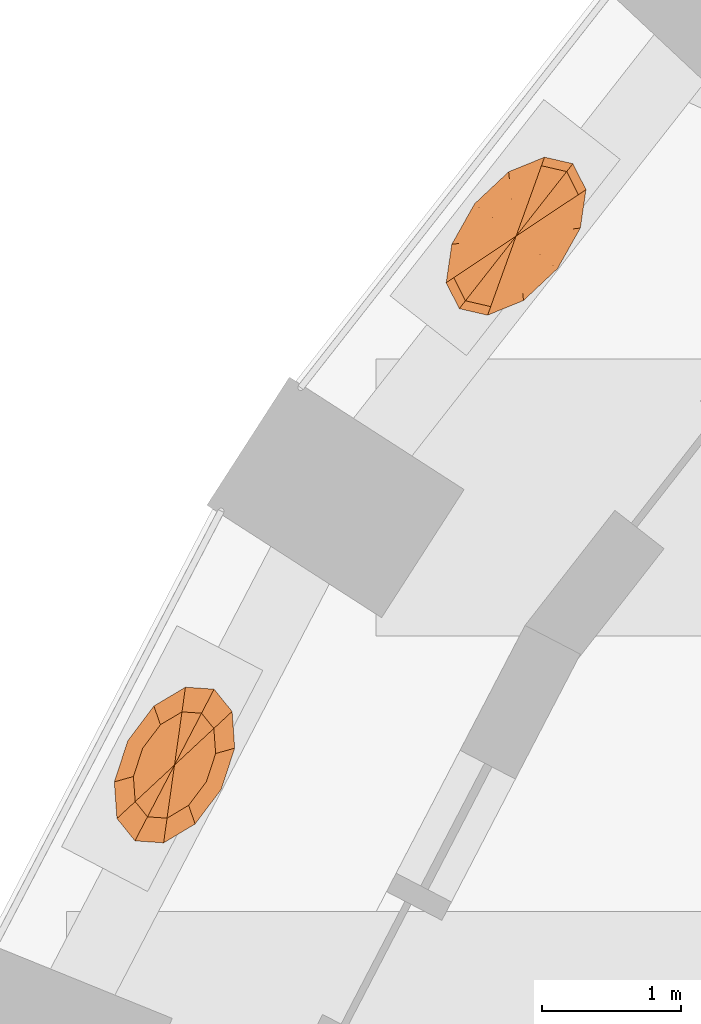
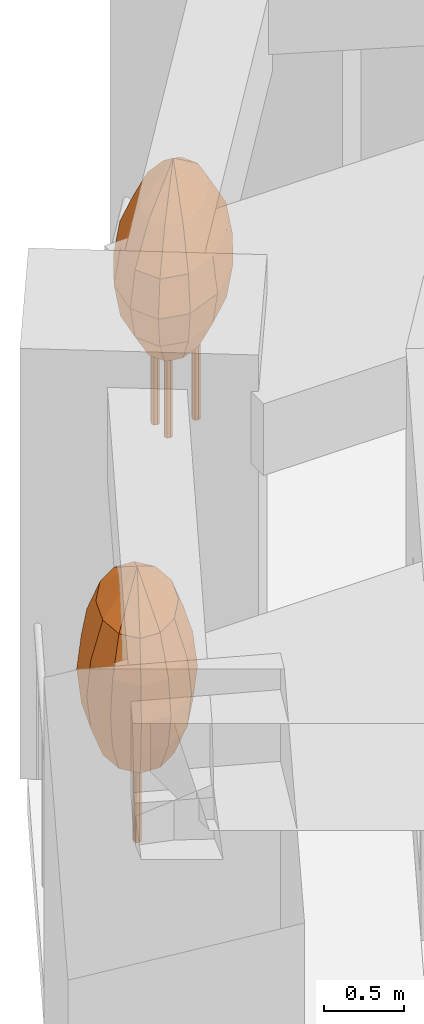
# One storey, part 13 of 13: 2 geographic elements.
"""IFC4 building model written with IfcOpenShell, lengths in metres."""

from ifc_helpers import new_model, si_unit, direction, frame, origin, place, context, subcontext, project, spatial, faceted_brep, material, constituent, constituent_set, type_object, element, save


model = new_model("IFC4")

# Units and contexts
model_context = context("Model", 3, precision=1e-05, world=origin(), true_north=direction((0.0, 1.0)))
body_context = subcontext(model_context, "Body", "Model", "MODEL_VIEW")
ifc_project = project(units=[si_unit("LENGTHUNIT", "METRE"), si_unit("AREAUNIT", "SQUARE_METRE"), si_unit("VOLUMEUNIT", "CUBIC_METRE"), si_unit("PLANEANGLEUNIT", "RADIAN"), si_unit("MASSUNIT", "GRAM", prefix="KILO")], contexts=[model_context])

# Site, building, storey
site_placement = place(None, origin())
site = spatial("IfcSite", under=ifc_project, at=site_placement, CompositionType="ELEMENT")
building_placement = place(site_placement, origin())
building = spatial("IfcBuilding", under=site, at=building_placement, Name="Taillehof Tower", CompositionType="ELEMENT")
storey_placement = place(building_placement, frame((0.0, 0.0, 77.800048828125)))
storey = spatial("IfcBuildingStorey", under=building, at=storey_placement, Name="L21", CompositionType="ELEMENT", Elevation=77.800048828125)

# Geographic elements
ifc_material_1 = material(Name="Tree bark", Category="timber")
ifc_constituent_1 = constituent(ifc_material_1, Name="Trunk", Category="timber")
ifc_material_2 = material(Name="Tree foliage")
ifc_constituent_2 = constituent(ifc_material_2, Name="Crown")
ifc_constituent_set_1 = constituent_set(constituents=[ifc_constituent_1, ifc_constituent_2], Name="Tree TR1 Columnar hornbeam")
geographic_element_type_1 = type_object("IfcGeographicElementType", Name="Tree TR1 Columnar hornbeam", PredefinedType="USERDEFINED", material=ifc_constituent_set_1)
geographic_element_1_placement = place(storey_placement, frame((-25.627685546875, 10.692626953125, 0.75)))
element("IfcGeographicElement", 1, at=geographic_element_1_placement, inside=storey, type_object=geographic_element_type_1, Name="Tree TR1 Columnar hornbeam", ObjectType="TREE", PredefinedType="USERDEFINED", context=body_context, shape_type="Brep", body=[
    faceted_brep([(0.030029296875, 0.0, 0.0), (0.021240234375, 0.021240234375, 0.0), (0.021240234375, 0.021240234375, 1.092529296875), (0.030029296875, 0.0, 1.092529296875), (0.0, 0.030029296875, 0.0), (0.0, 0.030029296875, 1.092529296875), (-0.021240234375, 0.021240234375, 0.0), (-0.021240234375, 0.021240234375, 1.092529296875), (-0.030029296875, 0.0, 0.0), (-0.030029296875, 0.0, 1.092529296875), (-0.021240234375, -0.021240234375, 0.0), (-0.021240234375, -0.021240234375, 1.092529296875), (0.0, -0.030029296875, 0.0), (0.0, -0.030029296875, 1.092529296875), (0.021240234375, -0.021240234375, 0.0), (0.021240234375, -0.021240234375, 1.092529296875)], [[[0, 1, 2, 3]], [[1, 4, 5, 2]], [[4, 6, 7, 5]], [[6, 8, 9, 7]], [[8, 10, 11, 9]], [[10, 12, 13, 11]], [[12, 14, 15, 13]], [[14, 0, 3, 15]], [[14, 12, 10, 8, 6, 4, 1, 0]], [[3, 2, 5, 7, 9, 11, 13, 15]]]),
    faceted_brep([(0.0, 0.0, 0.550048828125), (-0.053955078125, -0.3837890625, 0.808349609375), (-0.195068359375, -0.3740234375, 0.808349609375), (0.101806640625, -0.291015625, 0.808349609375), (0.230224609375, -0.1201171875, 0.808349609375), (0.296875, 0.0830078125, 0.808349609375), (0.283935546875, 0.263916015625, 0.808349609375), (0.195068359375, 0.3740234375, 0.808349609375), (0.053955078125, 0.3837890625, 0.808349609375), (-0.101806640625, 0.291015625, 0.808349609375), (-0.230224609375, 0.1201171875, 0.808349609375), (-0.296875, -0.0830078125, 0.808349609375), (-0.283935546875, -0.263916015625, 0.808349609375), (-0.07275390625, -0.519287109375, 1.066650390625), (-0.263916015625, -0.505859375, 1.066650390625), (0.1376953125, -0.3935546875, 1.066650390625), (0.311279296875, -0.162353515625, 1.066650390625), (0.401611328125, 0.1123046875, 1.066650390625), (0.38427734375, 0.35693359375, 1.066650390625), (0.263916015625, 0.505859375, 1.066650390625), (0.07275390625, 0.519287109375, 1.066650390625), (-0.1376953125, 0.3935546875, 1.066650390625), (-0.311279296875, 0.162353515625, 1.066650390625), (-0.401611328125, -0.1123046875, 1.066650390625), (-0.38427734375, -0.35693359375, 1.066650390625), (-0.078857421875, -0.56201171875, 1.324951171875), (-0.28564453125, -0.547607421875, 1.324951171875), (0.14892578125, -0.426025390625, 1.324951171875), (0.3369140625, -0.17578125, 1.324951171875), (0.4345703125, 0.12158203125, 1.324951171875), (0.415771484375, 0.38623046875, 1.324951171875), (0.28564453125, 0.547607421875, 1.324951171875), (0.078857421875, 0.56201171875, 1.324951171875), (-0.14892578125, 0.426025390625, 1.324951171875), (-0.3369140625, 0.17578125, 1.324951171875), (-0.4345703125, -0.12158203125, 1.324951171875), (-0.415771484375, -0.38623046875, 1.324951171875), (-0.07275390625, -0.519287109375, 1.583251953125), (-0.263916015625, -0.505859375, 1.583251953125), (0.1376953125, -0.3935546875, 1.583251953125), (0.311279296875, -0.162353515625, 1.583251953125), (0.401611328125, 0.1123046875, 1.583251953125), (0.38427734375, 0.35693359375, 1.583251953125), (0.263916015625, 0.505859375, 1.583251953125), (0.07275390625, 0.519287109375, 1.583251953125), (-0.1376953125, 0.3935546875, 1.583251953125), (-0.311279296875, 0.162353515625, 1.583251953125), (-0.401611328125, -0.1123046875, 1.583251953125), (-0.38427734375, -0.35693359375, 1.583251953125), (-0.053955078125, -0.3837890625, 1.841552734375), (-0.195068359375, -0.3740234375, 1.841552734375), (0.101806640625, -0.291015625, 1.841552734375), (0.230224609375, -0.1201171875, 1.841552734375), (0.296875, 0.0830078125, 1.841552734375), (0.283935546875, 0.263916015625, 1.841552734375), (0.195068359375, 0.3740234375, 1.841552734375), (0.053955078125, 0.3837890625, 1.841552734375), (-0.101806640625, 0.291015625, 1.841552734375), (-0.230224609375, 0.1201171875, 1.841552734375), (-0.296875, -0.0830078125, 1.841552734375), (-0.283935546875, -0.263916015625, 1.841552734375), (0.0, 0.0, 2.10009765625)], [[[0, 1, 2]], [[0, 3, 1]], [[0, 4, 3]], [[0, 5, 4]], [[0, 6, 5]], [[0, 7, 6]], [[0, 8, 7]], [[0, 9, 8]], [[0, 10, 9]], [[0, 11, 10]], [[0, 12, 11]], [[0, 2, 12]], [[2, 1, 13, 14]], [[1, 3, 15, 13]], [[3, 4, 16, 15]], [[4, 5, 17, 16]], [[5, 6, 18, 17]], [[6, 7, 19, 18]], [[7, 8, 20, 19]], [[8, 9, 21, 20]], [[9, 10, 22, 21]], [[10, 11, 23, 22]], [[11, 12, 24, 23]], [[12, 2, 14, 24]], [[14, 13, 25, 26]], [[13, 15, 27, 25]], [[15, 16, 28, 27]], [[16, 17, 29, 28]], [[17, 18, 30, 29]], [[18, 19, 31, 30]], [[19, 20, 32, 31]], [[20, 21, 33, 32]], [[21, 22, 34, 33]], [[22, 23, 35, 34]], [[23, 24, 36, 35]], [[24, 14, 26, 36]], [[26, 25, 37, 38]], [[25, 27, 39, 37]], [[27, 28, 40, 39]], [[28, 29, 41, 40]], [[29, 30, 42, 41]], [[30, 31, 43, 42]], [[31, 32, 44, 43]], [[32, 33, 45, 44]], [[33, 34, 46, 45]], [[34, 35, 47, 46]], [[35, 36, 48, 47]], [[36, 26, 38, 48]], [[38, 37, 49, 50]], [[37, 39, 51, 49]], [[39, 40, 52, 51]], [[40, 41, 53, 52]], [[41, 42, 54, 53]], [[42, 43, 55, 54]], [[43, 44, 56, 55]], [[44, 45, 57, 56]], [[45, 46, 58, 57]], [[46, 47, 59, 58]], [[47, 48, 60, 59]], [[48, 38, 50, 60]], [[50, 49, 61]], [[49, 51, 61]], [[51, 52, 61]], [[52, 53, 61]], [[53, 54, 61]], [[54, 55, 61]], [[55, 56, 61]], [[56, 57, 61]], [[57, 58, 61]], [[58, 59, 61]], [[59, 60, 61]], [[60, 50, 61]]]),
])
ifc_material_3 = material(Name="Tree bark", Category="timber")
ifc_constituent_3 = constituent(ifc_material_3, Name="Trunk", Category="timber")
ifc_material_4 = material(Name="Tree foliage")
ifc_constituent_4 = constituent(ifc_material_4, Name="Crown")
ifc_constituent_set_2 = constituent_set(constituents=[ifc_constituent_3, ifc_constituent_4], Name="Tree TR3 Multi-stem serviceberry")
geographic_element_type_2 = type_object("IfcGeographicElementType", Name="Tree TR3 Multi-stem serviceberry", PredefinedType="USERDEFINED", material=ifc_constituent_set_2)
geographic_element_2_placement = place(storey_placement, frame((-23.16162109375, 14.510986328125, 0.75)))
element("IfcGeographicElement", 2, at=geographic_element_2_placement, inside=storey, type_object=geographic_element_type_2, Name="Tree TR3 Multi-stem serviceberry", ObjectType="TREE", PredefinedType="USERDEFINED", context=body_context, shape_type="Brep", body=[
    faceted_brep([(0.195068359375, 0.0, 0.0), (0.186767578125, 0.0205078125, 0.0), (0.186767578125, 0.0205078125, 1.04248046875), (0.195068359375, 0.0, 1.04248046875), (0.166259765625, 0.02880859375, 0.0), (0.166259765625, 0.02880859375, 1.04248046875), (0.145751953125, 0.0205078125, 0.0), (0.145751953125, 0.0205078125, 1.04248046875), (0.137451171875, 0.0, 0.0), (0.137451171875, 0.0, 1.04248046875), (0.145751953125, -0.0205078125, 0.0), (0.145751953125, -0.0205078125, 1.04248046875), (0.166259765625, -0.02880859375, 0.0), (0.166259765625, -0.02880859375, 1.04248046875), (0.186767578125, -0.0205078125, 0.0), (0.186767578125, -0.0205078125, 1.04248046875)], [[[0, 1, 2, 3]], [[1, 4, 5, 2]], [[4, 6, 7, 5]], [[6, 8, 9, 7]], [[8, 10, 11, 9]], [[10, 12, 13, 11]], [[12, 14, 15, 13]], [[14, 0, 3, 15]], [[14, 12, 10, 8, 6, 4, 1, 0]], [[3, 2, 5, 7, 9, 11, 13, 15]]]),
    faceted_brep([(-0.05419921875, 0.082275390625, 0.0), (-0.062744140625, 0.102783203125, 0.0), (-0.062744140625, 0.102783203125, 1.04248046875), (-0.05419921875, 0.082275390625, 1.04248046875), (-0.0830078125, 0.111083984375, 0.0), (-0.0830078125, 0.111083984375, 1.04248046875), (-0.103515625, 0.102783203125, 0.0), (-0.103515625, 0.102783203125, 1.04248046875), (-0.112060546875, 0.082275390625, 0.0), (-0.112060546875, 0.082275390625, 1.04248046875), (-0.103515625, 0.061767578125, 0.0), (-0.103515625, 0.061767578125, 1.04248046875), (-0.0830078125, 0.053466796875, 0.0), (-0.0830078125, 0.053466796875, 1.04248046875), (-0.062744140625, 0.061767578125, 0.0), (-0.062744140625, 0.061767578125, 1.04248046875)], [[[0, 1, 2, 3]], [[1, 4, 5, 2]], [[4, 6, 7, 5]], [[6, 8, 9, 7]], [[8, 10, 11, 9]], [[10, 12, 13, 11]], [[12, 14, 15, 13]], [[14, 0, 3, 15]], [[14, 12, 10, 8, 6, 4, 1, 0]], [[3, 2, 5, 7, 9, 11, 13, 15]]]),
    faceted_brep([(-0.05419921875, -0.082275390625, 0.0), (-0.062744140625, -0.061767578125, 0.0), (-0.062744140625, -0.061767578125, 1.04248046875), (-0.05419921875, -0.082275390625, 1.04248046875), (-0.0830078125, -0.053466796875, 0.0), (-0.0830078125, -0.053466796875, 1.04248046875), (-0.103515625, -0.061767578125, 0.0), (-0.103515625, -0.061767578125, 1.04248046875), (-0.112060546875, -0.082275390625, 0.0), (-0.112060546875, -0.082275390625, 1.04248046875), (-0.103515625, -0.102783203125, 0.0), (-0.103515625, -0.102783203125, 1.04248046875), (-0.0830078125, -0.111083984375, 0.0), (-0.0830078125, -0.111083984375, 1.04248046875), (-0.062744140625, -0.102783203125, 0.0), (-0.062744140625, -0.102783203125, 1.04248046875)], [[[0, 1, 2, 3]], [[1, 4, 5, 2]], [[4, 6, 7, 5]], [[6, 8, 9, 7]], [[8, 10, 11, 9]], [[10, 12, 13, 11]], [[12, 14, 15, 13]], [[14, 0, 3, 15]], [[14, 12, 10, 8, 6, 4, 1, 0]], [[3, 2, 5, 7, 9, 11, 13, 15]]]),
    faceted_brep([(0.0, 0.0, 0.5), (-0.1181640625, -0.32763671875, 0.75830078125), (-0.235595703125, -0.30078125, 0.75830078125), (0.031005859375, -0.266845703125, 0.75830078125), (0.171875, -0.134521484375, 0.75830078125), (0.2666015625, 0.03369140625, 0.75830078125), (0.289794921875, 0.193115234375, 0.75830078125), (0.235595703125, 0.30078125, 0.75830078125), (0.1181640625, 0.32763671875, 0.75830078125), (-0.031005859375, 0.266845703125, 0.75830078125), (-0.171875, 0.134521484375, 0.75830078125), (-0.2666015625, -0.03369140625, 0.75830078125), (-0.289794921875, -0.193115234375, 0.75830078125), (-0.18310546875, -0.508544921875, 1.0166015625), (-0.365478515625, -0.466552734375, 1.0166015625), (0.048095703125, -0.4140625, 1.0166015625), (0.2666015625, -0.208740234375, 1.0166015625), (0.41357421875, 0.052490234375, 1.0166015625), (0.449951171875, 0.299560546875, 1.0166015625), (0.365478515625, 0.466552734375, 1.0166015625), (0.18310546875, 0.508544921875, 1.0166015625), (-0.048095703125, 0.4140625, 1.0166015625), (-0.2666015625, 0.208740234375, 1.0166015625), (-0.41357421875, -0.052490234375, 1.0166015625), (-0.449951171875, -0.299560546875, 1.0166015625), (-0.20556640625, -0.570556640625, 1.27490234375), (-0.41015625, -0.5234375, 1.27490234375), (0.053955078125, -0.464599609375, 1.27490234375), (0.299072265625, -0.234375, 1.27490234375), (0.464111328125, 0.058837890625, 1.27490234375), (0.504638671875, 0.336181640625, 1.27490234375), (0.41015625, 0.5234375, 1.27490234375), (0.20556640625, 0.570556640625, 1.27490234375), (-0.053955078125, 0.464599609375, 1.27490234375), (-0.299072265625, 0.234375, 1.27490234375), (-0.464111328125, -0.058837890625, 1.27490234375), (-0.504638671875, -0.336181640625, 1.27490234375), (-0.18310546875, -0.508544921875, 1.533447265625), (-0.365478515625, -0.466552734375, 1.533447265625), (0.048095703125, -0.4140625, 1.533447265625), (0.2666015625, -0.208740234375, 1.533447265625), (0.41357421875, 0.052490234375, 1.533447265625), (0.449951171875, 0.299560546875, 1.533447265625), (0.365478515625, 0.466552734375, 1.533447265625), (0.18310546875, 0.508544921875, 1.533447265625), (-0.048095703125, 0.4140625, 1.533447265625), (-0.2666015625, 0.208740234375, 1.533447265625), (-0.41357421875, -0.052490234375, 1.533447265625), (-0.449951171875, -0.299560546875, 1.533447265625), (-0.1181640625, -0.32763671875, 1.791748046875), (-0.235595703125, -0.30078125, 1.791748046875), (0.031005859375, -0.266845703125, 1.791748046875), (0.171875, -0.134521484375, 1.791748046875), (0.2666015625, 0.03369140625, 1.791748046875), (0.289794921875, 0.193115234375, 1.791748046875), (0.235595703125, 0.30078125, 1.791748046875), (0.1181640625, 0.32763671875, 1.791748046875), (-0.031005859375, 0.266845703125, 1.791748046875), (-0.171875, 0.134521484375, 1.791748046875), (-0.2666015625, -0.03369140625, 1.791748046875), (-0.289794921875, -0.193115234375, 1.791748046875), (0.0, 0.0, 2.050048828125)], [[[0, 1, 2]], [[0, 3, 1]], [[0, 4, 3]], [[0, 5, 4]], [[0, 6, 5]], [[0, 7, 6]], [[0, 8, 7]], [[0, 9, 8]], [[0, 10, 9]], [[0, 11, 10]], [[0, 12, 11]], [[0, 2, 12]], [[2, 1, 13, 14]], [[1, 3, 15, 13]], [[3, 4, 16, 15]], [[4, 5, 17, 16]], [[5, 6, 18, 17]], [[6, 7, 19, 18]], [[7, 8, 20, 19]], [[8, 9, 21, 20]], [[9, 10, 22, 21]], [[10, 11, 23, 22]], [[11, 12, 24, 23]], [[12, 2, 14, 24]], [[14, 13, 25, 26]], [[13, 15, 27, 25]], [[15, 16, 28, 27]], [[16, 17, 29, 28]], [[17, 18, 30, 29]], [[18, 19, 31, 30]], [[19, 20, 32, 31]], [[20, 21, 33, 32]], [[21, 22, 34, 33]], [[22, 23, 35, 34]], [[23, 24, 36, 35]], [[24, 14, 26, 36]], [[26, 25, 37, 38]], [[25, 27, 39, 37]], [[27, 28, 40, 39]], [[28, 29, 41, 40]], [[29, 30, 42, 41]], [[30, 31, 43, 42]], [[31, 32, 44, 43]], [[32, 33, 45, 44]], [[33, 34, 46, 45]], [[34, 35, 47, 46]], [[35, 36, 48, 47]], [[36, 26, 38, 48]], [[38, 37, 49, 50]], [[37, 39, 51, 49]], [[39, 40, 52, 51]], [[40, 41, 53, 52]], [[41, 42, 54, 53]], [[42, 43, 55, 54]], [[43, 44, 56, 55]], [[44, 45, 57, 56]], [[45, 46, 58, 57]], [[46, 47, 59, 58]], [[47, 48, 60, 59]], [[48, 38, 50, 60]], [[50, 49, 61]], [[49, 51, 61]], [[51, 52, 61]], [[52, 53, 61]], [[53, 54, 61]], [[54, 55, 61]], [[55, 56, 61]], [[56, 57, 61]], [[57, 58, 61]], [[58, 59, 61]], [[59, 60, 61]], [[60, 50, 61]]]),
])

save(model, "model.ifc")
